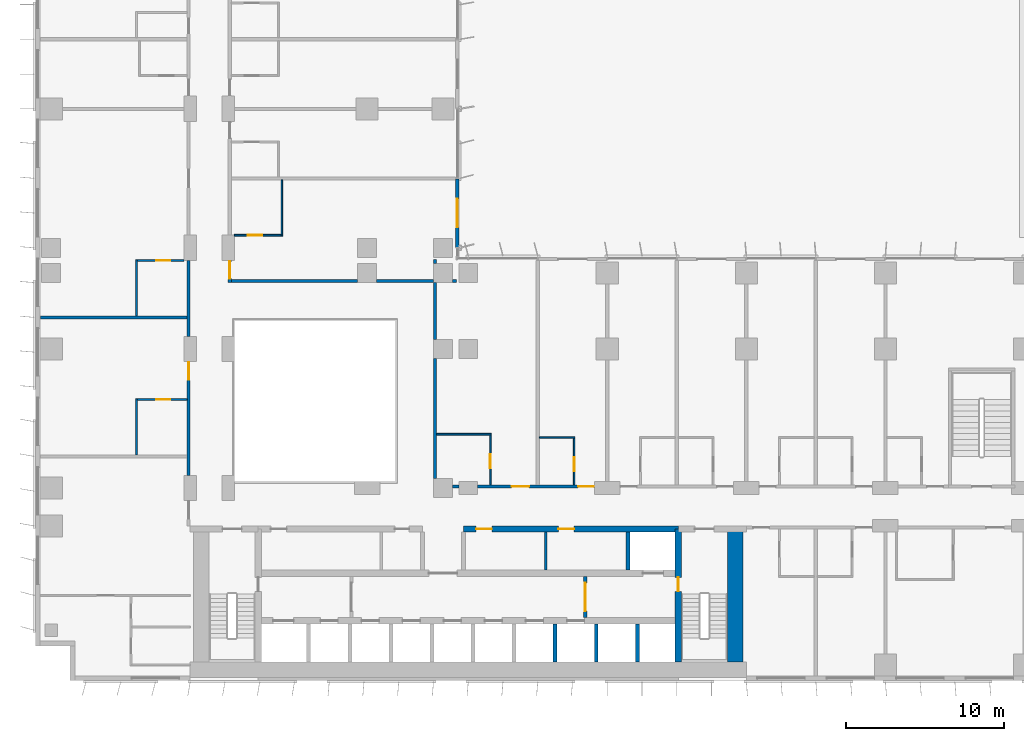
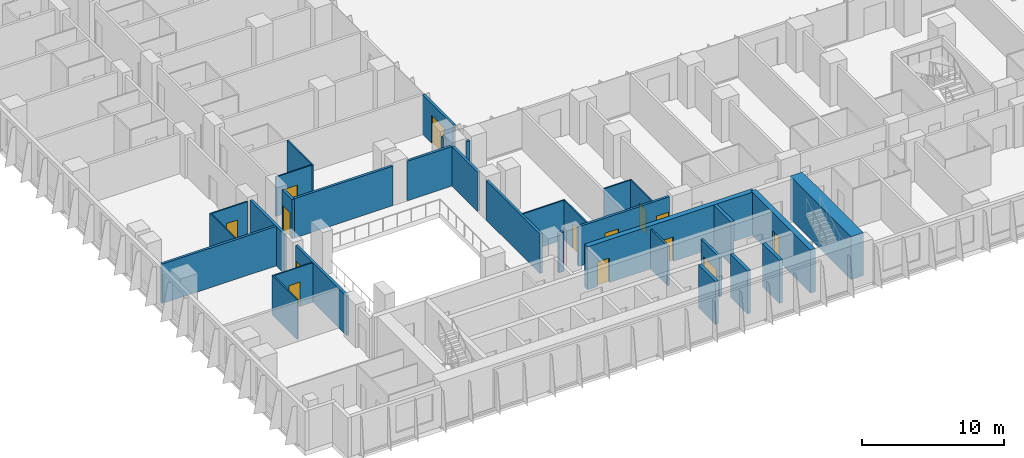
# One storey, part 11 of 23: 32 walls, 14 doors, 14 openings.
"""IFC4 building model written with IfcOpenShell, lengths in metres."""

from ifc_helpers import new_model, si_unit, direction, frame, frame_2d, origin, place, context, subcontext, project, spatial, rectangle, extrude, material, layer, layer_set, type_object, element, fill, save


model = new_model("IFC4")

# Units and contexts
model_context = context("Model", 3, precision=1e-05, world=origin(), true_north=direction((0.0, 1.0)))
body_context = subcontext(model_context, "Body", "Model", "MODEL_VIEW")
ifc_project = project(units=[si_unit("LENGTHUNIT", "METRE"), si_unit("AREAUNIT", "SQUARE_METRE"), si_unit("VOLUMEUNIT", "CUBIC_METRE"), si_unit("PLANEANGLEUNIT", "RADIAN"), si_unit("MASSUNIT", "GRAM", prefix="KILO")], contexts=[model_context])

# Site, building, storey
site_placement = place(None, origin())
site = spatial("IfcSite", under=ifc_project, at=site_placement, CompositionType="ELEMENT")
building_placement = place(site_placement, origin())
building = spatial("IfcBuilding", under=site, at=building_placement, Name="Kemantara Hotel Tower", CompositionType="ELEMENT")
storey_placement = place(building_placement, frame((0.0, 0.0, 34.0)))
storey = spatial("IfcBuildingStorey", under=building, at=storey_placement, Name="L06", CompositionType="ELEMENT", Elevation=34.0)

# Walls
ifc_material_1 = material(Name="Concrete fc 70 MPa", Category="concrete")
ifc_layer_1 = layer(ifc_material_1, 1.0)
ifc_layer_set_1 = layer_set([ifc_layer_1], Name="Concrete fc 70 MPa")
wall_type_1 = type_object("IfcWallType", Name="CORE WALL 1000 FC70", PredefinedType="SHEAR", material=ifc_layer_set_1)
wall_1_placement = place(storey_placement, frame((44.300048828125, 1.199951171875, 0.0), z_axis=(0.0, 0.0, 1.0), x_axis=(0.0, 1.0, 0.0)))
element("IfcWall", 1, at=wall_1_placement, inside=storey, type_object=wall_type_1, Name="CORE WALL CW-E", PredefinedType="SHEAR", context=body_context, shape_type="SweptSolid", body=[
    extrude(rectangle(XDim=8.60009765625, YDim=1.0, at=frame_2d((4.300048828125, 0.0))), origin(), (0.0, 0.0, 1.0), 3.699951171875),
])
ifc_layer_2 = layer(ifc_material_1, 0.25)
ifc_layer_set_2 = layer_set([ifc_layer_2], Name="Concrete fc 70 MPa")
wall_type_2 = type_object("IfcWallType", Name="CORE WALL 250 FC70", PredefinedType="SHEAR", material=ifc_layer_set_2)
for number, where, z_axis, x_axis, name in (
    (2, (32.89990234375, 1.199951171875, 0.0), (0.0, 0.0, 1.0), (0.0, 1.0, 0.0), "CORE WALL CW-DS32.9"),
    (3, (35.5, 1.199951171875, 0.0), (0.0, 0.0, 1.0), (0.0, 1.0, 0.0), "CORE WALL CW-DS35.5"),
    (4, (38.10009765625, 1.199951171875, 0.0), (0.0, 0.0, 1.0), (0.0, 1.0, 0.0), "CORE WALL CW-DS38.1"),
):
    element("IfcWall", number, at=place(storey_placement, frame(where, z_axis=z_axis, x_axis=x_axis)), inside=storey, type_object=wall_type_2, Name=name, PredefinedType="SHEAR", context=body_context, shape_type="SweptSolid", body=[
        extrude(rectangle(XDim=2.400146484375, YDim=0.25, at=frame_2d((1.2001953125, 0.0))), origin(), (0.0, 0.0, 1.0), 3.699951171875),
    ])
wall_2_placement = place(storey_placement, frame((37.5, 7.0, 0.0), z_axis=(0.0, 0.0, 1.0), x_axis=(0.0, 1.0, 0.0)))
element("IfcWall", 5, at=wall_2_placement, inside=storey, type_object=wall_type_2, Name="CORE WALL CW-DN37.5", PredefinedType="SHEAR", context=body_context, shape_type="SweptSolid", body=[
    extrude(rectangle(XDim=2.39990234375, YDim=0.25, at=frame_2d((1.199951171875, 0.0))), origin(), (0.0, 0.0, 1.0), 3.699951171875),
])

# Wall, openings, doors
ifc_layer_3 = layer(ifc_material_1, 0.39990234375)
ifc_layer_set_3 = layer_set([ifc_layer_3], Name="Concrete fc 70 MPa")
wall_type_3 = type_object("IfcWallType", Name="CORE WALL 400 FC70", PredefinedType="SHEAR", material=ifc_layer_set_3)
wall_3_placement = place(storey_placement, frame((27.10009765625, 9.60009765625, 0.0), z_axis=(0.0, 0.0, 1.0), x_axis=(1.0, 0.0, 0.0)))
wall_3 = element("IfcWall", 6, at=wall_3_placement, inside=storey, type_object=wall_type_3, Name="CORE WALL CW-NN2", PredefinedType="SHEAR", context=body_context, shape_type="SweptSolid", body=[
    extrude(rectangle(XDim=13.599853515625, YDim=0.39990234375, at=frame_2d((6.7998046875, 0.0))), origin(), (0.0, 0.0, 1.0), 3.699951171875),
])
opening_1_placement = place(wall_3_placement, frame((0.800048828125, 0.0, 0.0)))
opening_1 = element("IfcOpeningElement", 7, at=opening_1_placement, cuts=wall_3, Name="Opening C08-R-NE1", PredefinedType="OPENING", context=body_context, shape_type="SweptSolid", body=[
    extrude(rectangle(XDim=1.0, YDim=2.10009765625, at=frame_2d((0.5, 1.050048828125))), frame((0.0, 0.2099609375, 0.0), z_axis=(0.0, -1.0, 0.0), x_axis=(1.0, 0.0, 0.0)), (0.0, 0.0, 1.0), 0.419921875),
])
opening_2_placement = place(wall_3_placement, frame((6.0, 0.0, 0.0)))
opening_2 = element("IfcOpeningElement", 8, at=opening_2_placement, cuts=wall_3, Name="Opening C08-R-NE2", PredefinedType="OPENING", context=body_context, shape_type="SweptSolid", body=[
    extrude(rectangle(XDim=1.0, YDim=2.10009765625, at=frame_2d((0.5, 1.050048828125))), frame((0.0, 0.2099609375, 0.0), z_axis=(0.0, -1.0, 0.0), x_axis=(1.0, 0.0, 0.0)), (0.0, 0.0, 1.0), 0.419921875),
])
ifc_material_2 = material(Name="Steel fire door", Category="steel")
door_type_1 = type_object("IfcDoorType", Name="Fire door FD30S 1000 x 2100", OperationType="NOTDEFINED", PredefinedType="DOOR", material=ifc_material_2)
door_1_placement = place(opening_1_placement, frame((1.0, 0.0, 0.0), z_axis=(0.0, 0.0, 1.0), x_axis=(-1.0, 0.0, 0.0)))
door_1 = element("IfcDoor", 9, at=door_1_placement, inside=storey, type_object=door_type_1, Name="Staff Lounge door", OperationType="SINGLE_SWING_RIGHT", OverallHeight=2.10009765625, OverallWidth=1.0, PredefinedType="DOOR", context=body_context, shape_type="SweptSolid", body=[
    extrude(rectangle(XDim=1.0, YDim=2.10009765625, at=frame_2d((0.5, 1.050048828125))), frame((0.0, 0.02490234375, 0.0), z_axis=(0.0, -1.0, 0.0), x_axis=(1.0, 0.0, 0.0)), (0.0, 0.0, 1.0), 0.050048828125),
])
fill(opening_1, door_1)
door_2_placement = place(opening_2_placement, frame((1.0, 0.0, 0.0), z_axis=(0.0, 0.0, 1.0), x_axis=(-1.0, 0.0, 0.0)))
door_2 = element("IfcDoor", 10, at=door_2_placement, inside=storey, type_object=door_type_1, Name="Luggage Store door", OperationType="SINGLE_SWING_RIGHT", OverallHeight=2.10009765625, OverallWidth=1.0, PredefinedType="DOOR", context=body_context, shape_type="SweptSolid", body=[
    extrude(rectangle(XDim=1.0, YDim=2.10009765625, at=frame_2d((0.5, 1.050048828125))), frame((0.0, 0.02490234375, 0.0), z_axis=(0.0, -1.0, 0.0), x_axis=(1.0, 0.0, 0.0)), (0.0, 0.0, 1.0), 0.050048828125),
])
fill(opening_2, door_2)

# Wall, opening, door
wall_4_placement = place(storey_placement, frame((40.699951171875, 1.199951171875, 0.0), z_axis=(0.0, 0.0, 1.0), x_axis=(0.0, 1.0, 0.0)))
wall_4 = element("IfcWall", 11, at=wall_4_placement, inside=storey, type_object=wall_type_3, Name="CORE WALL CW-ST2W", PredefinedType="SHEAR", context=body_context, shape_type="SweptSolid", body=[
    extrude(rectangle(XDim=8.400146484375, YDim=0.39990234375, at=frame_2d((4.2001953125, 0.0))), origin(), (0.0, 0.0, 1.0), 3.699951171875),
])
opening_3_placement = place(wall_4_placement, frame((4.449951171875, 0.0, 0.0)))
opening_3 = element("IfcOpeningElement", 12, at=opening_3_placement, cuts=wall_4, Name="Opening C08-ST2-F", PredefinedType="OPENING", context=body_context, shape_type="SweptSolid", body=[
    extrude(rectangle(XDim=0.89990234375, YDim=2.10009765625, at=frame_2d((0.449951171875, 1.050048828125))), frame((0.0, 0.2099609375, 0.0), z_axis=(0.0, -1.0, 0.0), x_axis=(1.0, 0.0, 0.0)), (0.0, 0.0, 1.0), 0.419921875),
])
door_type_2 = type_object("IfcDoorType", Name="Fire door FD90 900 x 2100", OperationType="NOTDEFINED", PredefinedType="DOOR", material=ifc_material_2)
door_3_placement = place(opening_3_placement, frame((0.89990234375, 0.0, 0.0), z_axis=(0.0, 0.0, 1.0), x_axis=(-1.0, 0.0, 0.0)))
door_3 = element("IfcDoor", 13, at=door_3_placement, inside=storey, type_object=door_type_2, Name="Stair ST2 door to firefighting lobby", OperationType="SINGLE_SWING_LEFT", OverallHeight=2.10009765625, OverallWidth=0.89990234375, PredefinedType="DOOR", context=body_context, shape_type="SweptSolid", body=[
    extrude(rectangle(XDim=0.89990234375, YDim=2.10009765625, at=frame_2d((0.449951171875, 1.050048828125))), frame((0.0, 0.02490234375, 0.0), z_axis=(0.0, -1.0, 0.0), x_axis=(1.0, 0.0, 0.0)), (0.0, 0.0, 1.0), 0.050048828125),
])
fill(opening_3, door_3)

# Wall
ifc_material_3 = material(Name="Gypsum board partition, steel studs and mineral wool, 200 mm", Category="steel")
ifc_layer_4 = layer(ifc_material_3, 0.199951171875)
ifc_layer_set_4 = layer_set([ifc_layer_4], Name="Gypsum board partition, steel studs and mineral wool, 200 mm")
wall_type_4 = type_object("IfcWallType", Name="CORRIDOR WALL 200", PredefinedType="PARTITIONING", material=ifc_layer_set_4)
wall_5_placement = place(storey_placement, frame((26.400146484375, 12.300048828125, 0.0), z_axis=(0.0, 0.0, 1.0), x_axis=(1.0, 0.0, 0.0)))
element("IfcWall", 14, at=wall_5_placement, inside=storey, type_object=wall_type_4, Name="CORRIDOR WALL 200 014", PredefinedType="PARTITIONING", context=body_context, shape_type="SweptSolid", body=[
    extrude(rectangle(XDim=0.399658203125, YDim=0.199951171875, at=frame_2d((0.19970703125, 0.0))), origin(), (0.0, 0.0, 1.0), 3.39990234375),
])

# Wall, openings, doors
wall_6_placement = place(storey_placement, frame((28.0, 12.300048828125, 0.0), z_axis=(0.0, 0.0, 1.0), x_axis=(1.0, 0.0, 0.0)))
wall_6 = element("IfcWall", 15, at=wall_6_placement, inside=storey, type_object=wall_type_4, Name="CORRIDOR WALL 200 015", PredefinedType="PARTITIONING", context=body_context, shape_type="SweptSolid", body=[
    extrude(rectangle(XDim=7.39990234375, YDim=0.199951171875, at=frame_2d((3.699951171875, 0.0))), origin(), (0.0, 0.0, 1.0), 3.39990234375),
])
opening_4_placement = place(wall_6_placement, frame((2.14990234375, 0.0, 0.0)))
opening_4 = element("IfcOpeningElement", 16, at=opening_4_placement, cuts=wall_6, Name="Opening F01-013", PredefinedType="OPENING", context=body_context, shape_type="SweptSolid", body=[
    extrude(rectangle(XDim=1.10009765625, YDim=2.10009765625, at=frame_2d((0.550048828125, 1.050048828125))), frame((0.0, 0.10986328125, 0.0), z_axis=(0.0, -1.0, 0.0), x_axis=(1.0, 0.0, 0.0)), (0.0, 0.0, 1.0), 0.219970703125),
])
opening_5_placement = place(wall_6_placement, frame((6.349853515625, 0.0, 0.0)))
opening_5 = element("IfcOpeningElement", 17, at=opening_5_placement, cuts=wall_6, Name="Opening F01-015", PredefinedType="OPENING", context=body_context, shape_type="SweptSolid", body=[
    extrude(rectangle(XDim=1.0, YDim=2.10009765625, at=frame_2d((0.5, 1.050048828125))), frame((0.0, 0.10986328125, 0.0), z_axis=(0.0, -1.0, 0.0), x_axis=(1.0, 0.0, 0.0)), (0.0, 0.0, 1.0), 0.219970703125),
])
ifc_material_4 = material(Name="Hardwood veneer door leaf with steel frame", Category="steel")
door_type_3 = type_object("IfcDoorType", Name="GUEST ROOM DOOR 1000 X 2100 FD30S", OperationType="NOTDEFINED", PredefinedType="DOOR", material=ifc_material_4)
door_4_placement = place(opening_5_placement, origin())
door_4 = element("IfcDoor", 18, at=door_4_placement, inside=storey, type_object=door_type_3, Name="GUEST ROOM DOOR F01-015", OperationType="SINGLE_SWING_RIGHT", OverallHeight=2.10009765625, OverallWidth=1.0, PredefinedType="DOOR", context=body_context, shape_type="SweptSolid", body=[
    extrude(rectangle(XDim=1.0, YDim=2.10009765625, at=frame_2d((0.5, 1.050048828125))), frame((0.0, 0.02490234375, 0.0), z_axis=(0.0, -1.0, 0.0), x_axis=(1.0, 0.0, 0.0)), (0.0, 0.0, 1.0), 0.050048828125),
])
fill(opening_5, door_4)
door_type_4 = type_object("IfcDoorType", Name="SUITE ENTRANCE DOOR 1100 X 2100 FD30S", OperationType="NOTDEFINED", PredefinedType="DOOR", material=ifc_material_4)
door_5_placement = place(opening_4_placement, origin())
door_5 = element("IfcDoor", 19, at=door_5_placement, inside=storey, type_object=door_type_4, Name="SUITE ENTRANCE DOOR F01-013", OperationType="SINGLE_SWING_RIGHT", OverallHeight=2.10009765625, OverallWidth=1.10009765625, PredefinedType="DOOR", context=body_context, shape_type="SweptSolid", body=[
    extrude(rectangle(XDim=1.10009765625, YDim=2.10009765625, at=frame_2d((0.550048828125, 1.050048828125))), frame((0.0, 0.02490234375, 0.0), z_axis=(0.0, -1.0, 0.0), x_axis=(1.0, 0.0, 0.0)), (0.0, 0.0, 1.0), 0.050048828125),
])
fill(opening_4, door_5)

# Wall, opening, door
wall_7_placement = place(storey_placement, frame((9.699951171875, 13.0, 0.0), z_axis=(0.0, 0.0, 1.0), x_axis=(0.0, 1.0, 0.0)))
wall_7 = element("IfcWall", 20, at=wall_7_placement, inside=storey, type_object=wall_type_4, Name="CORRIDOR WALL 200 031", PredefinedType="PARTITIONING", context=body_context, shape_type="SweptSolid", body=[
    extrude(rectangle(XDim=7.199951171875, YDim=0.199951171875, at=frame_2d((3.60009765625, 0.0))), origin(), (0.0, 0.0, 1.0), 3.39990234375),
])
opening_6_placement = place(wall_7_placement, frame((6.0498046875, 0.0, 0.0)))
opening_6 = element("IfcOpeningElement", 21, at=opening_6_placement, cuts=wall_7, Name="Opening F01-037", PredefinedType="OPENING", context=body_context, shape_type="SweptSolid", body=[
    extrude(rectangle(XDim=1.10009765625, YDim=2.10009765625, at=frame_2d((0.550048828125, 1.050048828125))), frame((0.0, 0.10986328125, 0.0), z_axis=(0.0, -1.0, 0.0), x_axis=(1.0, 0.0, 0.0)), (0.0, 0.0, 1.0), 0.219970703125),
])
door_6_placement = place(opening_6_placement, origin())
door_6 = element("IfcDoor", 22, at=door_6_placement, inside=storey, type_object=door_type_4, Name="SUITE ENTRANCE DOOR F01-037", OperationType="SINGLE_SWING_RIGHT", OverallHeight=2.10009765625, OverallWidth=1.10009765625, PredefinedType="DOOR", context=body_context, shape_type="SweptSolid", body=[
    extrude(rectangle(XDim=1.10009765625, YDim=2.10009765625, at=frame_2d((0.550048828125, 1.050048828125))), frame((0.0, 0.02490234375, 0.0), z_axis=(0.0, -1.0, 0.0), x_axis=(1.0, 0.0, 0.0)), (0.0, 0.0, 1.0), 0.050048828125),
])
fill(opening_6, door_6)

# Wall
wall_8_placement = place(storey_placement, frame((9.699951171875, 21.800048828125, 0.0), z_axis=(0.0, 0.0, 1.0), x_axis=(0.0, 1.0, 0.0)))
element("IfcWall", 23, at=wall_8_placement, inside=storey, type_object=wall_type_4, Name="CORRIDOR WALL 200 032", PredefinedType="PARTITIONING", context=body_context, shape_type="SweptSolid", body=[
    extrude(rectangle(XDim=4.7998046875, YDim=0.199951171875, at=frame_2d((2.39990234375, 0.0))), origin(), (0.0, 0.0, 1.0), 3.39990234375),
])

# Wall, opening, door
wall_9_placement = place(storey_placement, frame((12.300048828125, 26.599853515625, 0.0), z_axis=(0.0, 0.0, 1.0), x_axis=(0.0, -1.0, 0.0)))
wall_9 = element("IfcWall", 24, at=wall_9_placement, inside=storey, type_object=wall_type_4, Name="CORRIDOR WALL 200 056", PredefinedType="PARTITIONING", context=body_context, shape_type="SweptSolid", body=[
    extrude(rectangle(XDim=1.39990234375, YDim=0.199951171875, at=frame_2d((0.699951171875, 0.0))), origin(), (0.0, 0.0, 1.0), 3.39990234375),
])
opening_7_placement = place(wall_9_placement, frame((0.0498046875, 0.0, 0.0)))
opening_7 = element("IfcOpeningElement", 25, at=opening_7_placement, cuts=wall_9, Name="Opening F01-057", PredefinedType="OPENING", context=body_context, shape_type="SweptSolid", body=[
    extrude(rectangle(XDim=1.10009765625, YDim=2.10009765625, at=frame_2d((0.550048828125, 1.050048828125))), frame((0.0, 0.10986328125, 0.0), z_axis=(0.0, -1.0, 0.0), x_axis=(1.0, 0.0, 0.0)), (0.0, 0.0, 1.0), 0.219970703125),
])
door_7_placement = place(opening_7_placement, origin())
door_7 = element("IfcDoor", 26, at=door_7_placement, inside=storey, type_object=door_type_4, Name="SUITE ENTRANCE DOOR F01-057", OperationType="SINGLE_SWING_RIGHT", OverallHeight=2.10009765625, OverallWidth=1.10009765625, PredefinedType="DOOR", context=body_context, shape_type="SweptSolid", body=[
    extrude(rectangle(XDim=1.10009765625, YDim=2.10009765625, at=frame_2d((0.550048828125, 1.050048828125))), frame((0.0, 0.02490234375, 0.0), z_axis=(0.0, -1.0, 0.0), x_axis=(1.0, 0.0, 0.0)), (0.0, 0.0, 1.0), 0.050048828125),
])
fill(opening_7, door_7)

# Walls
ifc_layer_5 = layer(ifc_material_3, 0.199951171875)
ifc_layer_set_5 = layer_set([ifc_layer_5], Name="Gypsum board partition, steel studs and mineral wool, 200 mm")
wall_type_5 = type_object("IfcWallType", Name="GUEST ROOM PARTY WALL 200", PredefinedType="PARTITIONING", material=ifc_layer_set_5)
wall_10_placement = place(storey_placement, frame((25.300048828125, 12.800048828125, 0.0), z_axis=(0.0, 0.0, 1.0), x_axis=(0.0, 1.0, 0.0)))
element("IfcWall", 27, at=wall_10_placement, inside=storey, type_object=wall_type_5, Name="GUEST ROOM PARTY WALL 200 021", PredefinedType="PARTITIONING", context=body_context, shape_type="SweptSolid", body=[
    extrude(rectangle(XDim=7.599853515625, YDim=0.199951171875, at=frame_2d((3.7998046875, 0.0))), origin(), (0.0, 0.0, 1.0), 3.39990234375),
])
wall_11_placement = place(storey_placement, frame((25.300048828125, 21.60009765625, 0.0), z_axis=(0.0, 0.0, 1.0), x_axis=(0.0, 1.0, 0.0)))
element("IfcWall", 28, at=wall_11_placement, inside=storey, type_object=wall_type_5, Name="GUEST ROOM PARTY WALL 200 022", PredefinedType="PARTITIONING", context=body_context, shape_type="SweptSolid", body=[
    extrude(rectangle(XDim=3.599853515625, YDim=0.199951171875, at=frame_2d((1.7998046875, 0.0))), origin(), (0.0, 0.0, 1.0), 3.39990234375),
])
wall_12_placement = place(storey_placement, frame((25.300048828125, 26.400146484375, 0.0), z_axis=(0.0, 0.0, 1.0), x_axis=(0.0, 1.0, 0.0)))
element("IfcWall", 29, at=wall_12_placement, inside=storey, type_object=wall_type_5, Name="GUEST ROOM PARTY WALL 200 023", PredefinedType="PARTITIONING", context=body_context, shape_type="SweptSolid", body=[
    extrude(rectangle(XDim=0.269775390625, YDim=0.199951171875, at=frame_2d((0.134765625, 0.0))), origin(), (0.0, 0.0, 1.0), 3.39990234375),
])
wall_13_placement = place(storey_placement, frame((0.31005859375, 23.0, 0.0), z_axis=(0.0, 0.0, 1.0), x_axis=(1.0, 0.0, 0.0)))
element("IfcWall", 30, at=wall_13_placement, inside=storey, type_object=wall_type_5, Name="GUEST ROOM PARTY WALL 200 040", PredefinedType="PARTITIONING", context=body_context, shape_type="SweptSolid", body=[
    extrude(rectangle(XDim=9.2900390625, YDim=0.199951171875, at=frame_2d((4.64501953125, 0.0))), origin(), (0.0, 0.0, 1.0), 3.39990234375),
])
wall_14_placement = place(storey_placement, frame((12.39990234375, 25.300048828125, 0.0), z_axis=(0.0, 0.0, 1.0), x_axis=(1.0, 0.0, 0.0)))
element("IfcWall", 31, at=wall_14_placement, inside=storey, type_object=wall_type_5, Name="GUEST ROOM PARTY WALL 200 063", PredefinedType="PARTITIONING", context=body_context, shape_type="SweptSolid", body=[
    extrude(rectangle(XDim=8.0, YDim=0.199951171875, at=frame_2d((4.0, 0.0))), origin(), (0.0, 0.0, 1.0), 3.39990234375),
])
wall_15_placement = place(storey_placement, frame((21.60009765625, 25.300048828125, 0.0), z_axis=(0.0, 0.0, 1.0), x_axis=(1.0, 0.0, 0.0)))
element("IfcWall", 32, at=wall_15_placement, inside=storey, type_object=wall_type_5, Name="GUEST ROOM PARTY WALL 200 064", PredefinedType="PARTITIONING", context=body_context, shape_type="SweptSolid", body=[
    extrude(rectangle(XDim=3.599853515625, YDim=0.199951171875, at=frame_2d((1.7998046875, 0.0))), origin(), (0.0, 0.0, 1.0), 3.39990234375),
])
wall_16_placement = place(storey_placement, frame((26.400146484375, 25.300048828125, 0.0), z_axis=(0.0, 0.0, 1.0), x_axis=(1.0, 0.0, 0.0)))
element("IfcWall", 33, at=wall_16_placement, inside=storey, type_object=wall_type_5, Name="GUEST ROOM PARTY WALL 200 065", PredefinedType="PARTITIONING", context=body_context, shape_type="SweptSolid", body=[
    extrude(rectangle(XDim=0.269775390625, YDim=0.199951171875, at=frame_2d((0.134765625, 0.0))), origin(), (0.0, 0.0, 1.0), 3.39990234375),
])
ifc_material_5 = material(Name="Gypsum board partition")
ifc_layer_6 = layer(ifc_material_5, 0.14990234375)
ifc_layer_set_6 = layer_set([ifc_layer_6], Name="Gypsum board partition")
wall_type_6 = type_object("IfcWallType", Name="Gypsum board partition 150 mm", PredefinedType="PARTITIONING", material=ifc_layer_set_6)
wall_17_placement = place(storey_placement, frame((32.300048828125, 7.0, 0.0), z_axis=(0.0, 0.0, 1.0), x_axis=(0.0, 1.0, 0.0)))
element("IfcWall", 34, at=wall_17_placement, inside=storey, type_object=wall_type_6, Name="Core room partition", PredefinedType="PARTITIONING", context=body_context, shape_type="SweptSolid", body=[
    extrude(rectangle(XDim=2.39990234375, YDim=0.14990234375, at=frame_2d((1.199951171875, 0.0))), origin(), (0.0, 0.0, 1.0), 3.39990234375),
])

# Wall, opening, door
ifc_material_6 = material(Name="Gypsum board shaft wall")
ifc_layer_7 = layer(ifc_material_6, 0.199951171875)
ifc_layer_set_7 = layer_set([ifc_layer_7], Name="Gypsum board shaft wall")
wall_type_7 = type_object("IfcWallType", Name="Gypsum board shaft wall 200 mm", PredefinedType="PARTITIONING", material=ifc_layer_set_7)
wall_18_placement = place(storey_placement, frame((34.800048828125, 4.0, 0.0), z_axis=(0.0, 0.0, 1.0), x_axis=(0.0, 1.0, 0.0)))
wall_18 = element("IfcWall", 35, at=wall_18_placement, inside=storey, type_object=wall_type_7, Name="Firefighting lobby partition east", PredefinedType="PARTITIONING", context=body_context, shape_type="SweptSolid", body=[
    extrude(rectangle(XDim=2.60009765625, YDim=0.199951171875, at=frame_2d((1.300048828125, 0.0))), origin(), (0.0, 0.0, 1.0), 3.39990234375),
])
opening_8_placement = place(wall_18_placement, frame((0.39990234375, 0.0, 0.0)))
opening_8 = element("IfcOpeningElement", 36, at=opening_8_placement, cuts=wall_18, Name="Opening C08-FFE", PredefinedType="OPENING", context=body_context, shape_type="SweptSolid", body=[
    extrude(rectangle(XDim=1.800048828125, YDim=2.10009765625, at=frame_2d((0.89990234375, 1.050048828125))), frame((0.0, 0.10986328125, 0.0), z_axis=(0.0, -1.0, 0.0), x_axis=(1.0, 0.0, 0.0)), (0.0, 0.0, 1.0), 0.219970703125),
])
door_type_5 = type_object("IfcDoorType", Name="Fire door pair FD60 1800 x 2100", OperationType="DOUBLE_DOOR_SINGLE_SWING", PredefinedType="DOOR", material=ifc_material_2)
door_8_placement = place(opening_8_placement, frame((1.800048828125, 0.0, 0.0), z_axis=(0.0, 0.0, 1.0), x_axis=(-1.0, 0.0, 0.0)))
door_8 = element("IfcDoor", 37, at=door_8_placement, inside=storey, type_object=door_type_5, Name="Firefighting lobby door east", OperationType="DOUBLE_DOOR_SINGLE_SWING", OverallHeight=2.10009765625, OverallWidth=1.800048828125, PredefinedType="DOOR", context=body_context, shape_type="SweptSolid", body=[
    extrude(rectangle(XDim=1.800048828125, YDim=2.10009765625, at=frame_2d((0.89990234375, 1.050048828125))), frame((0.0, 0.02490234375, 0.0), z_axis=(0.0, -1.0, 0.0), x_axis=(1.0, 0.0, 0.0)), (0.0, 0.0, 1.0), 0.050048828125),
])
fill(opening_8, door_8)

# Wall
ifc_material_7 = material(Name="Gypsum board partition on steel studs, 100 mm", Category="steel")
ifc_layer_8 = layer(ifc_material_7, 0.10009765625)
ifc_layer_set_8 = layer_set([ifc_layer_8], Name="Gypsum board partition on steel studs, 100 mm")
wall_type_8 = type_object("IfcWallType", Name="ROOM PARTITION 100", PredefinedType="PARTITIONING", material=ifc_layer_set_8)
wall_19_placement = place(storey_placement, frame((25.39990234375, 15.60009765625, 0.0), z_axis=(0.0, 0.0, 1.0), x_axis=(1.0, 0.0, 0.0)))
element("IfcWall", 38, at=wall_19_placement, inside=storey, type_object=wall_type_8, Name="ROOM PARTITION 100 089", PredefinedType="PARTITIONING", context=body_context, shape_type="SweptSolid", body=[
    extrude(rectangle(XDim=3.4501953125, YDim=0.10009765625, at=frame_2d((1.72509765625, 0.0))), origin(), (0.0, 0.0, 1.0), 3.39990234375),
])

# Wall, opening, door
wall_20_placement = place(storey_placement, frame((28.800048828125, 12.39990234375, 0.0), z_axis=(0.0, 0.0, 1.0), x_axis=(0.0, 1.0, 0.0)))
wall_20 = element("IfcWall", 39, at=wall_20_placement, inside=storey, type_object=wall_type_8, Name="ROOM PARTITION 100 090", PredefinedType="PARTITIONING", context=body_context, shape_type="SweptSolid", body=[
    extrude(rectangle(XDim=3.150146484375, YDim=0.10009765625, at=frame_2d((1.5751953125, 0.0))), origin(), (0.0, 0.0, 1.0), 3.39990234375),
])
opening_9_placement = place(wall_20_placement, frame((1.050048828125, 0.0, 0.0)))
opening_9 = element("IfcOpeningElement", 40, at=opening_9_placement, cuts=wall_20, Name="Opening F01-014", PredefinedType="OPENING", context=body_context, shape_type="SweptSolid", body=[
    extrude(rectangle(XDim=0.89990234375, YDim=2.10009765625, at=frame_2d((0.449951171875, 1.050048828125))), frame((0.0, 0.06005859375, 0.0), z_axis=(0.0, -1.0, 0.0), x_axis=(1.0, 0.0, 0.0)), (0.0, 0.0, 1.0), 0.1201171875),
])
door_type_6 = type_object("IfcDoorType", Name="BATHROOM DOOR 900 X 2100", OperationType="NOTDEFINED", PredefinedType="DOOR", material=ifc_material_4)
door_9_placement = place(opening_9_placement, origin())
door_9 = element("IfcDoor", 41, at=door_9_placement, inside=storey, type_object=door_type_6, Name="BATHROOM DOOR F01-014", OperationType="SINGLE_SWING_LEFT", OverallHeight=2.10009765625, OverallWidth=0.89990234375, PredefinedType="DOOR", context=body_context, shape_type="SweptSolid", body=[
    extrude(rectangle(XDim=0.89990234375, YDim=2.10009765625, at=frame_2d((0.449951171875, 1.050048828125))), frame((0.0, 0.02490234375, 0.0), z_axis=(0.0, -1.0, 0.0), x_axis=(1.0, 0.0, 0.0)), (0.0, 0.0, 1.0), 0.050048828125),
])
fill(opening_9, door_9)

# Wall
wall_21_placement = place(storey_placement, frame((31.89990234375, 15.39990234375, 0.0), z_axis=(0.0, 0.0, 1.0), x_axis=(1.0, 0.0, 0.0)))
element("IfcWall", 42, at=wall_21_placement, inside=storey, type_object=wall_type_8, Name="ROOM PARTITION 100 091", PredefinedType="PARTITIONING", context=body_context, shape_type="SweptSolid", body=[
    extrude(rectangle(XDim=2.25, YDim=0.10009765625, at=frame_2d((1.125, 0.0))), origin(), (0.0, 0.0, 1.0), 3.39990234375),
])

# Wall, opening, door
wall_22_placement = place(storey_placement, frame((34.10009765625, 12.39990234375, 0.0), z_axis=(0.0, 0.0, 1.0), x_axis=(0.0, 1.0, 0.0)))
wall_22 = element("IfcWall", 43, at=wall_22_placement, inside=storey, type_object=wall_type_8, Name="ROOM PARTITION 100 099", PredefinedType="PARTITIONING", context=body_context, shape_type="SweptSolid", body=[
    extrude(rectangle(XDim=2.9501953125, YDim=0.10009765625, at=frame_2d((1.47509765625, 0.0))), origin(), (0.0, 0.0, 1.0), 3.39990234375),
])
opening_10_placement = place(wall_22_placement, frame((0.85009765625, 0.0, 0.0)))
opening_10 = element("IfcOpeningElement", 44, at=opening_10_placement, cuts=wall_22, Name="Opening F01-016", PredefinedType="OPENING", context=body_context, shape_type="SweptSolid", body=[
    extrude(rectangle(XDim=0.89990234375, YDim=2.10009765625, at=frame_2d((0.449951171875, 1.050048828125))), frame((0.0, 0.06005859375, 0.0), z_axis=(0.0, -1.0, 0.0), x_axis=(1.0, 0.0, 0.0)), (0.0, 0.0, 1.0), 0.1201171875),
])
door_10_placement = place(opening_10_placement, origin())
door_10 = element("IfcDoor", 45, at=door_10_placement, inside=storey, type_object=door_type_6, Name="BATHROOM DOOR F01-016", OperationType="SINGLE_SWING_LEFT", OverallHeight=2.10009765625, OverallWidth=0.89990234375, PredefinedType="DOOR", context=body_context, shape_type="SweptSolid", body=[
    extrude(rectangle(XDim=0.89990234375, YDim=2.10009765625, at=frame_2d((0.449951171875, 1.050048828125))), frame((0.0, 0.02490234375, 0.0), z_axis=(0.0, -1.0, 0.0), x_axis=(1.0, 0.0, 0.0)), (0.0, 0.0, 1.0), 0.050048828125),
])
fill(opening_10, door_10)

# Walls
wall_23_placement = place(storey_placement, frame((6.39990234375, 14.300048828125, 0.0), z_axis=(0.0, 0.0, 1.0), x_axis=(0.0, 1.0, 0.0)))
element("IfcWall", 46, at=wall_23_placement, inside=storey, type_object=wall_type_8, Name="ROOM PARTITION 100 110", PredefinedType="PARTITIONING", context=body_context, shape_type="SweptSolid", body=[
    extrude(rectangle(XDim=3.550048828125, YDim=0.10009765625, at=frame_2d((1.77490234375, 0.0))), origin(), (0.0, 0.0, 1.0), 3.39990234375),
])
wall_24_placement = place(storey_placement, frame((6.39990234375, 23.10009765625, 0.0), z_axis=(0.0, 0.0, 1.0), x_axis=(0.0, 1.0, 0.0)))
element("IfcWall", 47, at=wall_24_placement, inside=storey, type_object=wall_type_8, Name="ROOM PARTITION 100 111", PredefinedType="PARTITIONING", context=body_context, shape_type="SweptSolid", body=[
    extrude(rectangle(XDim=3.5498046875, YDim=0.10009765625, at=frame_2d((1.77490234375, 0.0))), origin(), (0.0, 0.0, 1.0), 3.39990234375),
])

# Wall, opening, door
wall_25_placement = place(storey_placement, frame((9.60009765625, 17.800048828125, 0.0), z_axis=(0.0, 0.0, 1.0), x_axis=(-1.0, 0.0, 0.0)))
wall_25 = element("IfcWall", 48, at=wall_25_placement, inside=storey, type_object=wall_type_8, Name="ROOM PARTITION 100 114", PredefinedType="PARTITIONING", context=body_context, shape_type="SweptSolid", body=[
    extrude(rectangle(XDim=3.150146484375, YDim=0.10009765625, at=frame_2d((1.5751953125, 0.0))), origin(), (0.0, 0.0, 1.0), 3.39990234375),
])
opening_11_placement = place(wall_25_placement, frame((1.050048828125, 0.0, 0.0)))
opening_11 = element("IfcOpeningElement", 49, at=opening_11_placement, cuts=wall_25, Name="Opening F01-038", PredefinedType="OPENING", context=body_context, shape_type="SweptSolid", body=[
    extrude(rectangle(XDim=0.89990234375, YDim=2.10009765625, at=frame_2d((0.449951171875, 1.050048828125))), frame((0.0, 0.06005859375, 0.0), z_axis=(0.0, -1.0, 0.0), x_axis=(1.0, 0.0, 0.0)), (0.0, 0.0, 1.0), 0.1201171875),
])
door_11_placement = place(opening_11_placement, origin())
door_11 = element("IfcDoor", 50, at=door_11_placement, inside=storey, type_object=door_type_6, Name="BATHROOM DOOR F01-038", OperationType="SINGLE_SWING_LEFT", OverallHeight=2.10009765625, OverallWidth=0.89990234375, PredefinedType="DOOR", context=body_context, shape_type="SweptSolid", body=[
    extrude(rectangle(XDim=0.89990234375, YDim=2.10009765625, at=frame_2d((0.449951171875, 1.050048828125))), frame((0.0, 0.02490234375, 0.0), z_axis=(0.0, -1.0, 0.0), x_axis=(1.0, 0.0, 0.0)), (0.0, 0.0, 1.0), 0.050048828125),
])
fill(opening_11, door_11)

wall_26_placement = place(storey_placement, frame((9.39990234375, 26.60009765625, 0.0), z_axis=(0.0, 0.0, 1.0), x_axis=(-1.0, 0.0, 0.0)))
wall_26 = element("IfcWall", 51, at=wall_26_placement, inside=storey, type_object=wall_type_8, Name="ROOM PARTITION 100 115", PredefinedType="PARTITIONING", context=body_context, shape_type="SweptSolid", body=[
    extrude(rectangle(XDim=2.949951171875, YDim=0.10009765625, at=frame_2d((1.47509765625, 0.0))), origin(), (0.0, 0.0, 1.0), 3.39990234375),
])
opening_12_placement = place(wall_26_placement, frame((0.849853515625, 0.0, 0.0)))
opening_12 = element("IfcOpeningElement", 52, at=opening_12_placement, cuts=wall_26, Name="Opening F01-040", PredefinedType="OPENING", context=body_context, shape_type="SweptSolid", body=[
    extrude(rectangle(XDim=0.89990234375, YDim=2.10009765625, at=frame_2d((0.449951171875, 1.050048828125))), frame((0.0, 0.06005859375, 0.0), z_axis=(0.0, -1.0, 0.0), x_axis=(1.0, 0.0, 0.0)), (0.0, 0.0, 1.0), 0.1201171875),
])
door_12_placement = place(opening_12_placement, origin())
door_12 = element("IfcDoor", 53, at=door_12_placement, inside=storey, type_object=door_type_6, Name="BATHROOM DOOR F01-040", OperationType="SINGLE_SWING_LEFT", OverallHeight=2.10009765625, OverallWidth=0.89990234375, PredefinedType="DOOR", context=body_context, shape_type="SweptSolid", body=[
    extrude(rectangle(XDim=0.89990234375, YDim=2.10009765625, at=frame_2d((0.449951171875, 1.050048828125))), frame((0.0, 0.02490234375, 0.0), z_axis=(0.0, -1.0, 0.0), x_axis=(1.0, 0.0, 0.0)), (0.0, 0.0, 1.0), 0.050048828125),
])
fill(opening_12, door_12)

# Wall
wall_27_placement = place(storey_placement, frame((15.60009765625, 28.14990234375, 0.0), z_axis=(0.0, 0.0, 1.0), x_axis=(0.0, 1.0, 0.0)))
element("IfcWall", 54, at=wall_27_placement, inside=storey, type_object=wall_type_8, Name="ROOM PARTITION 100 133", PredefinedType="PARTITIONING", context=body_context, shape_type="SweptSolid", body=[
    extrude(rectangle(XDim=3.550048828125, YDim=0.10009765625, at=frame_2d((1.77490234375, 0.0))), origin(), (0.0, 0.0, 1.0), 3.39990234375),
])

# Wall, opening, door
wall_28_placement = place(storey_placement, frame((12.60009765625, 28.199951171875, 0.0), z_axis=(0.0, 0.0, 1.0), x_axis=(1.0, 0.0, 0.0)))
wall_28 = element("IfcWall", 55, at=wall_28_placement, inside=storey, type_object=wall_type_8, Name="ROOM PARTITION 100 135", PredefinedType="PARTITIONING", context=body_context, shape_type="SweptSolid", body=[
    extrude(rectangle(XDim=2.949951171875, YDim=0.10009765625, at=frame_2d((1.47509765625, 0.0))), origin(), (0.0, 0.0, 1.0), 3.39990234375),
])
opening_13_placement = place(wall_28_placement, frame((0.849853515625, 0.0, 0.0)))
opening_13 = element("IfcOpeningElement", 56, at=opening_13_placement, cuts=wall_28, Name="Opening F01-058", PredefinedType="OPENING", context=body_context, shape_type="SweptSolid", body=[
    extrude(rectangle(XDim=0.89990234375, YDim=2.10009765625, at=frame_2d((0.449951171875, 1.050048828125))), frame((0.0, 0.06005859375, 0.0), z_axis=(0.0, -1.0, 0.0), x_axis=(1.0, 0.0, 0.0)), (0.0, 0.0, 1.0), 0.1201171875),
])
door_13_placement = place(opening_13_placement, origin())
door_13 = element("IfcDoor", 57, at=door_13_placement, inside=storey, type_object=door_type_6, Name="BATHROOM DOOR F01-058", OperationType="SINGLE_SWING_LEFT", OverallHeight=2.10009765625, OverallWidth=0.89990234375, PredefinedType="DOOR", context=body_context, shape_type="SweptSolid", body=[
    extrude(rectangle(XDim=0.89990234375, YDim=2.10009765625, at=frame_2d((0.449951171875, 1.050048828125))), frame((0.0, 0.02490234375, 0.0), z_axis=(0.0, -1.0, 0.0), x_axis=(1.0, 0.0, 0.0)), (0.0, 0.0, 1.0), 0.050048828125),
])
fill(opening_13, door_13)

ifc_material_8 = material(Name="Bronze ceramic cladding on insulated steel stud wall", Category="steel")
ifc_layer_9 = layer(ifc_material_8, 0.199951171875)
ifc_layer_set_9 = layer_set([ifc_layer_9], Name="Bronze ceramic cladding on insulated steel stud wall")
wall_type_9 = type_object("IfcWallType", Name="TERRACE DOOR BAY WALL 200", PredefinedType="STANDARD", material=ifc_layer_set_9)
wall_29_placement = place(storey_placement, frame((26.699951171875, 27.429931640625, 0.0), z_axis=(0.0, 0.0, 1.0), x_axis=(0.0, 1.0, 0.0)))
wall_29 = element("IfcWall", 58, at=wall_29_placement, inside=storey, type_object=wall_type_9, Name="TERRACE DOOR BAY WALL L06 T1-R08-1", PredefinedType="STANDARD", context=body_context, shape_type="SweptSolid", body=[
    extrude(rectangle(XDim=4.340087890625, YDim=0.199951171875, at=frame_2d((2.169921875, 0.0))), origin(), (0.0, 0.0, 1.0), 3.39990234375),
])
opening_14_placement = place(wall_29_placement, frame((1.27001953125, 0.0, 0.0)))
opening_14 = element("IfcOpeningElement", 59, at=opening_14_placement, cuts=wall_29, Name="Opening TD-L06-01", PredefinedType="OPENING", context=body_context, shape_type="SweptSolid", body=[
    extrude(rectangle(XDim=1.800048828125, YDim=2.39990234375, at=frame_2d((0.89990234375, 1.199951171875))), frame((0.0, 0.10986328125, 0.0), z_axis=(0.0, -1.0, 0.0), x_axis=(1.0, 0.0, 0.0)), (0.0, 0.0, 1.0), 0.219970703125),
])
ifc_material_9 = material(Name="Toughened tinted glass in bronze anodised aluminium frame", Category="aluminium")
door_type_7 = type_object("IfcDoorType", Name="TERRACE DOOR, DOUBLE LEAF GLAZED 1800x2400", OperationType="DOUBLE_DOOR_SINGLE_SWING", PredefinedType="DOOR", material=ifc_material_9)
door_14_placement = place(opening_14_placement, origin())
door_14 = element("IfcDoor", 60, at=door_14_placement, inside=storey, type_object=door_type_7, Name="TERRACE DOOR L06 T1-R08-1", OperationType="SINGLE_SWING_LEFT", OverallHeight=2.39990234375, OverallWidth=1.800048828125, PredefinedType="DOOR", context=body_context, shape_type="SweptSolid", body=[
    extrude(rectangle(XDim=1.800048828125, YDim=2.39990234375, at=frame_2d((0.89990234375, 1.199951171875))), frame((0.0, 0.02490234375, 0.0), z_axis=(0.0, -1.0, 0.0), x_axis=(1.0, 0.0, 0.0)), (0.0, 0.0, 1.0), 0.050048828125),
])
fill(opening_14, door_14)

save(model, "model.ifc")
